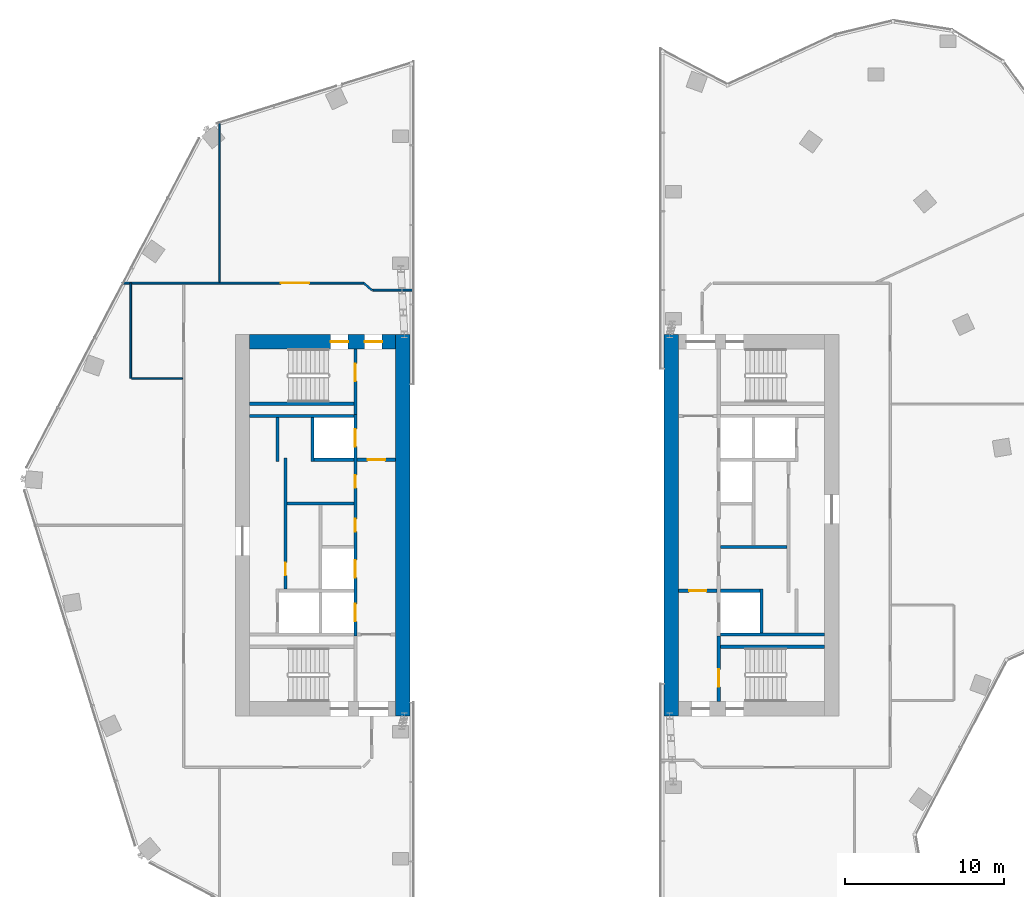
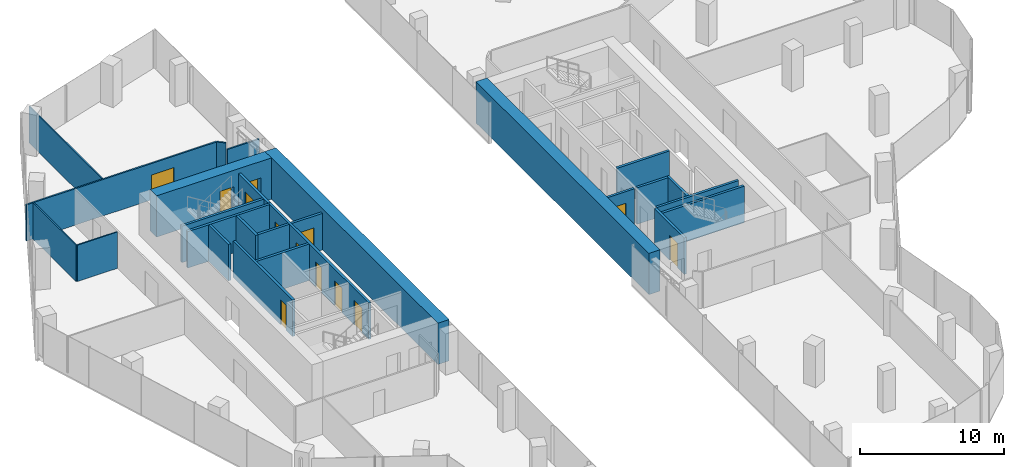
# One storey, part 19 of 23: 26 walls, 13 doors, 13 openings.
"""IFC4 building model written with IfcOpenShell, lengths in metres."""

from ifc_helpers import new_model, si_unit, direction, frame, frame_2d, origin, place, context, subcontext, project, spatial, rectangle, extrude, material, layer, layer_set, type_object, element, fill, save


model = new_model("IFC4")

# Units and contexts
model_context = context("Model", 3, precision=1e-05, world=origin(), true_north=direction((0.0, 1.0)))
body_context = subcontext(model_context, "Body", "Model", "MODEL_VIEW")
ifc_project = project(units=[si_unit("LENGTHUNIT", "METRE"), si_unit("AREAUNIT", "SQUARE_METRE"), si_unit("VOLUMEUNIT", "CUBIC_METRE"), si_unit("PLANEANGLEUNIT", "RADIAN"), si_unit("MASSUNIT", "GRAM", prefix="KILO")], contexts=[model_context])

# Site, building, storey
site_placement = place(None, origin())
site = spatial("IfcSite", under=ifc_project, at=site_placement, CompositionType="ELEMENT")
building_placement = place(site_placement, origin())
building = spatial("IfcBuilding", under=site, at=building_placement, Name="Orlundy Tower", CompositionType="ELEMENT")
storey_placement = place(building_placement, frame((0.0, 0.0, 264.0)))
storey = spatial("IfcBuildingStorey", under=building, at=storey_placement, Name="L70", CompositionType="ELEMENT", Elevation=264.0)

# Wall, openings, doors
ifc_material_1 = material(Name="Concrete C60/75", Category="concrete")
ifc_layer_1 = layer(ifc_material_1, 0.89990234375)
ifc_layer_set_1 = layer_set([ifc_layer_1], Name="CORE WALL 900 C60/75")
wall_type_1 = type_object("IfcWallType", Name="CORE WALL 900 C60/75", PredefinedType="SHEAR", material=ifc_layer_set_1)
wall_1_placement = place(storey_placement, frame((-18.10009765625, 11.550048828125, 0.0), z_axis=(0.0, 0.0, 1.0), x_axis=(1.0, 0.0, 0.0)))
wall_1 = element("IfcWall", 1, at=wall_1_placement, inside=storey, type_object=wall_type_1, Name="Core wall W-N L70", PredefinedType="SHEAR", context=body_context, shape_type="SweptSolid", body=[
    extrude(rectangle(XDim=9.2001953125, YDim=0.89990234375, at=frame_2d((4.60009765625, 0.0))), origin(), (0.0, 0.0, 1.0), 3.5),
])
opening_1_placement = place(wall_1_placement, frame((7.25, 0.0, 0.0)))
opening_1 = element("IfcOpeningElement", 2, at=opening_1_placement, cuts=wall_1, Name="Opening 52009", PredefinedType="OPENING", context=body_context, shape_type="SweptSolid", body=[
    extrude(rectangle(XDim=1.10009765625, YDim=2.10009765625, at=frame_2d((0.550048828125, 1.050048828125))), frame((0.0, 0.4599609375, 0.0), z_axis=(0.0, -1.0, 0.0), x_axis=(1.0, 0.0, 0.0)), (0.0, 0.0, 1.0), 0.919921875),
])
opening_2_placement = place(wall_1_placement, frame((5.10009765625, 0.0, 0.0)))
opening_2 = element("IfcOpeningElement", 3, at=opening_2_placement, cuts=wall_1, Name="Opening 52013", PredefinedType="OPENING", context=body_context, shape_type="SweptSolid", body=[
    extrude(rectangle(XDim=1.10009765625, YDim=2.10009765625, at=frame_2d((0.550048828125, 1.050048828125))), frame((0.0, 0.4599609375, 0.0), z_axis=(0.0, -1.0, 0.0), x_axis=(1.0, 0.0, 0.0)), (0.0, 0.0, 1.0), 0.919921875),
])
ifc_material_2 = material(Name="Steel door set", Category="steel")
door_type_1 = type_object("IfcDoorType", Name="Fire-fighting Lobby Door 1100x2100", OperationType="SINGLE_SWING_LEFT", PredefinedType="DOOR", material=ifc_material_2)
door_1_placement = place(opening_1_placement, origin())
door_1 = element("IfcDoor", 4, at=door_1_placement, inside=storey, type_object=door_type_1, Name="Fire-fighting lobby door 52009", OperationType="SINGLE_SWING_RIGHT", OverallHeight=2.10009765625, OverallWidth=1.10009765625, PredefinedType="DOOR", context=body_context, shape_type="SweptSolid", body=[
    extrude(rectangle(XDim=1.10009765625, YDim=2.10009765625, at=frame_2d((0.550048828125, 1.050048828125))), frame((0.0, 0.02490234375, 0.0), z_axis=(0.0, -1.0, 0.0), x_axis=(1.0, 0.0, 0.0)), (0.0, 0.0, 1.0), 0.050048828125),
])
fill(opening_1, door_1)
ifc_material_3 = material(Name="Steel door set", Category="steel")
door_type_2 = type_object("IfcDoorType", Name="Stair Door 1100x2100", OperationType="SINGLE_SWING_LEFT", PredefinedType="DOOR", material=ifc_material_3)
door_2_placement = place(opening_2_placement, origin())
door_2 = element("IfcDoor", 5, at=door_2_placement, inside=storey, type_object=door_type_2, Name="Stair door 52013", OperationType="SINGLE_SWING_RIGHT", OverallHeight=2.10009765625, OverallWidth=1.10009765625, PredefinedType="DOOR", context=body_context, shape_type="SweptSolid", body=[
    extrude(rectangle(XDim=1.10009765625, YDim=2.10009765625, at=frame_2d((0.550048828125, 1.050048828125))), frame((0.0, 0.02490234375, 0.0), z_axis=(0.0, -1.0, 0.0), x_axis=(1.0, 0.0, 0.0)), (0.0, 0.0, 1.0), 0.050048828125),
])
fill(opening_2, door_2)

# Walls
for number, where, z_axis, x_axis, name in (
    (6, (-8.449951171875, -12.0, 0.0), (0.0, 0.0, 1.0), (0.0, 1.0, 0.0), "Core wall W-E L70"),
    (7, (8.449951171875, -12.0, 0.0), (0.0, 0.0, 1.0), (0.0, 1.0, 0.0), "Core wall E-W L70"),
):
    element("IfcWall", number, at=place(storey_placement, frame(where, z_axis=z_axis, x_axis=x_axis)), inside=storey, type_object=wall_type_1, Name=name, PredefinedType="SHEAR", context=body_context, shape_type="SweptSolid", body=[
        extrude(rectangle(XDim=24.0, YDim=0.89990234375, at=frame_2d((12.0, 0.0))), origin(), (0.0, 0.0, 1.0), 3.5),
    ])
ifc_material_4 = material(Name="Gypsum board partition")
ifc_layer_2 = layer(ifc_material_4, 0.10009765625)
ifc_layer_set_2 = layer_set([ifc_layer_2], Name="Floor partition 100")
wall_type_2 = type_object("IfcWallType", Name="Floor partition 100", PredefinedType="PARTITIONING", material=ifc_layer_set_2)
wall_2_placement = place(storey_placement, frame((-25.531982421875, 9.2490234375, 0.0), z_axis=(0.0, 0.0, 1.0), x_axis=(1.0, 0.0, 0.0)))
element("IfcWall", 8, at=wall_2_placement, inside=storey, type_object=wall_type_2, Name="wall-int-L70-008", PredefinedType="PARTITIONING", context=body_context, shape_type="SweptSolid", body=[
    extrude(rectangle(XDim=3.219970703125, YDim=0.10009765625, at=frame_2d((1.60986328125, 0.0))), origin(), (0.0, 0.0, 1.0), 3.080078125),
])
wall_3_placement = place(storey_placement, frame((-20.0, 15.31298828125, 0.0), z_axis=(0.0, 0.0, 1.0), x_axis=(0.0, 1.0, 0.0)))
element("IfcWall", 9, at=wall_3_placement, inside=storey, type_object=wall_type_2, Name="wall-int-L70-023", PredefinedType="PARTITIONING", context=body_context, shape_type="SweptSolid", body=[
    extrude(rectangle(XDim=10.134033203125, YDim=0.10009765625, at=frame_2d((5.06689453125, 0.0))), origin(), (0.0, 0.0, 1.0), 3.080078125),
])
wall_4_placement = place(storey_placement, frame((-25.58203125, 9.2490234375, 0.0), z_axis=(0.0, 0.0, 1.0), x_axis=(0.0, 1.0, 0.0)))
element("IfcWall", 10, at=wall_4_placement, inside=storey, type_object=wall_type_2, Name="wall-int-L70-025", PredefinedType="PARTITIONING", context=body_context, shape_type="SweptSolid", body=[
    extrude(rectangle(XDim=6.0, YDim=0.10009765625, at=frame_2d((3.0, 0.0))), origin(), (0.0, 0.0, 1.0), 3.080078125),
])

# Wall, opening, door
ifc_material_5 = material(Name="Gypsum board partition, double layer")
ifc_layer_3 = layer(ifc_material_5, 0.125)
ifc_layer_set_3 = layer_set([ifc_layer_3], Name="Floor partition 125")
wall_type_3 = type_object("IfcWallType", Name="Floor partition 125", PredefinedType="PARTITIONING", material=ifc_layer_set_3)
wall_5_placement = place(storey_placement, frame((-26.159912109375, 15.25, 0.0), z_axis=(0.0, 0.0, 1.0), x_axis=(1.0, 0.0, 0.0)))
wall_5 = element("IfcWall", 11, at=wall_5_placement, inside=storey, type_object=wall_type_3, Name="wall-int-L70-010", PredefinedType="PARTITIONING", context=body_context, shape_type="SweptSolid", body=[
    extrude(rectangle(XDim=15.247802734375, YDim=0.125, at=frame_2d((7.6240234375, 0.0))), origin(), (0.0, 0.0, 1.0), 3.080078125),
])
opening_3_placement = place(wall_5_placement, frame((10.010009765625, 0.0, 0.0)))
opening_3 = element("IfcOpeningElement", 12, at=opening_3_placement, cuts=wall_5, Name="Opening 52108", PredefinedType="OPENING", context=body_context, shape_type="SweptSolid", body=[
    extrude(rectangle(XDim=1.800048828125, YDim=2.10009765625, at=frame_2d((0.89990234375, 1.050048828125))), frame((0.0, 0.072509765625, 0.0), z_axis=(0.0, -1.0, 0.0), x_axis=(1.0, 0.0, 0.0)), (0.0, 0.0, 1.0), 0.14501953125),
])
ifc_material_6 = material(Name="Timber door leaf", Category="wood")
door_type_3 = type_object("IfcDoorType", Name="Floor door double 1800 FD30S", OperationType="NOTDEFINED", PredefinedType="DOOR", material=ifc_material_6)
door_3_placement = place(opening_3_placement, origin())
door_3 = element("IfcDoor", 13, at=door_3_placement, inside=storey, type_object=door_type_3, Name="Door 52108", OperationType="DOUBLE_DOOR_SINGLE_SWING", OverallHeight=2.10009765625, OverallWidth=1.800048828125, PredefinedType="DOOR", context=body_context, shape_type="SweptSolid", body=[
    extrude(rectangle(XDim=1.800048828125, YDim=2.10009765625, at=frame_2d((0.89990234375, 1.050048828125))), frame((0.0, 0.02490234375, 0.0), z_axis=(0.0, -1.0, 0.0), x_axis=(1.0, 0.0, 0.0)), (0.0, 0.0, 1.0), 0.050048828125),
])
fill(opening_3, door_3)

# Walls
wall_6_placement = place(storey_placement, frame((-10.39892578125, 14.801025390625, 0.0), z_axis=(0.0, 0.0, 1.0), x_axis=(-0.752621053173, 0.658453909032, 0.0)))
element("IfcWall", 14, at=wall_6_placement, inside=storey, type_object=wall_type_3, Name="wall-int-L70-021", PredefinedType="PARTITIONING", context=body_context, shape_type="SweptSolid", body=[
    extrude(rectangle(XDim=0.681884765625, YDim=0.125, at=frame_2d((0.3408203125, 0.0))), origin(), (0.0, 0.0, 1.0), 3.080078125),
])
ifc_material_7 = material(Name="Gypsum board partition, double layer")
ifc_layer_4 = layer(ifc_material_7, 0.125)
ifc_layer_set_4 = layer_set([ifc_layer_4], Name="Floor partition 125 B")
wall_type_4 = type_object("IfcWallType", Name="Floor partition 125 B", PredefinedType="PARTITIONING", material=ifc_layer_set_4)
wall_7_placement = place(storey_placement, frame((-10.3359375, 14.801025390625, 0.0), z_axis=(0.0, 0.0, 1.0), x_axis=(1.0, 0.0, 0.0)))
element("IfcWall", 15, at=wall_7_placement, inside=storey, type_object=wall_type_4, Name="wall-int-L70-009", PredefinedType="PARTITIONING", context=body_context, shape_type="SweptSolid", body=[
    extrude(rectangle(XDim=2.5859375, YDim=0.125, at=frame_2d((1.29296875, 0.0))), origin(), (0.0, 0.0, 1.0), 2.496337890625),
])

# Wall, opening, door
ifc_material_8 = material(Name="Concrete C40/50", Category="concrete")
ifc_layer_5 = layer(ifc_material_8, 0.199951171875)
ifc_layer_set_5 = layer_set([ifc_layer_5], Name="Load-bearing Shaft Wall 200")
wall_type_5 = type_object("IfcWallType", Name="Load-bearing Shaft Wall 200", PredefinedType="SOLIDWALL", material=ifc_layer_set_5)
wall_8_placement = place(storey_placement, frame((-11.43994140625, 6.97509765625, 0.0), z_axis=(0.0, 0.0, 1.0), x_axis=(0.0, 1.0, 0.0)))
wall_8 = element("IfcWall", 16, at=wall_8_placement, inside=storey, type_object=wall_type_5, Name="Shaft wall W52-stair-end-n", PredefinedType="SOLIDWALL", context=body_context, shape_type="SweptSolid", body=[
    extrude(rectangle(XDim=4.125, YDim=0.199951171875, at=frame_2d((2.0625, 0.0))), origin(), (0.0, 0.0, 1.0), 3.090087890625),
])
opening_4_placement = place(wall_8_placement, frame((2.10009765625, 0.0, 0.0)))
opening_4 = element("IfcOpeningElement", 17, at=opening_4_placement, cuts=wall_8, Name="Opening 52015", PredefinedType="OPENING", context=body_context, shape_type="SweptSolid", body=[
    extrude(rectangle(XDim=1.10009765625, YDim=2.10009765625, at=frame_2d((0.550048828125, 1.050048828125))), frame((0.0, 0.110107421875, 0.0), z_axis=(0.0, -1.0, 0.0), x_axis=(1.0, 0.0, 0.0)), (0.0, 0.0, 1.0), 0.22021484375),
])
door_4_placement = place(opening_4_placement, origin())
door_4 = element("IfcDoor", 18, at=door_4_placement, inside=storey, type_object=door_type_1, Name="Fire-fighting lobby to stair door 52015", OperationType="SINGLE_SWING_RIGHT", OverallHeight=2.10009765625, OverallWidth=1.10009765625, PredefinedType="DOOR", context=body_context, shape_type="SweptSolid", body=[
    extrude(rectangle(XDim=1.10009765625, YDim=2.10009765625, at=frame_2d((0.550048828125, 1.050048828125))), frame((0.0, 0.02490234375, 0.0), z_axis=(0.0, -1.0, 0.0), x_axis=(1.0, 0.0, 0.0)), (0.0, 0.0, 1.0), 0.050048828125),
])
fill(opening_4, door_4)

# Wall
wall_9_placement = place(storey_placement, frame((-11.5400390625, 7.64990234375, 0.0), z_axis=(0.0, 0.0, 1.0), x_axis=(-1.0, 0.0, 0.0)))
element("IfcWall", 19, at=wall_9_placement, inside=storey, type_object=wall_type_5, Name="Shaft wall W52-stair-side-n", PredefinedType="SOLIDWALL", context=body_context, shape_type="SweptSolid", body=[
    extrude(rectangle(XDim=6.56005859375, YDim=0.199951171875, at=frame_2d((3.280029296875, 0.0))), origin(), (0.0, 0.0, 1.0), 3.090087890625),
])

# Wall, opening, door
wall_10_placement = place(storey_placement, frame((11.43994140625, -6.97509765625, 0.0), z_axis=(0.0, 0.0, 1.0), x_axis=(0.0, -1.0, 0.0)))
wall_10 = element("IfcWall", 20, at=wall_10_placement, inside=storey, type_object=wall_type_5, Name="Shaft wall E52-stair-end-n", PredefinedType="SOLIDWALL", context=body_context, shape_type="SweptSolid", body=[
    extrude(rectangle(XDim=4.125, YDim=0.199951171875, at=frame_2d((2.0625, 0.0))), origin(), (0.0, 0.0, 1.0), 3.090087890625),
])
opening_5_placement = place(wall_10_placement, frame((2.10009765625, 0.0, 0.0)))
opening_5 = element("IfcOpeningElement", 21, at=opening_5_placement, cuts=wall_10, Name="Opening 52064", PredefinedType="OPENING", context=body_context, shape_type="SweptSolid", body=[
    extrude(rectangle(XDim=1.10009765625, YDim=2.10009765625, at=frame_2d((0.550048828125, 1.050048828125))), frame((0.0, 0.110107421875, 0.0), z_axis=(0.0, -1.0, 0.0), x_axis=(1.0, 0.0, 0.0)), (0.0, 0.0, 1.0), 0.22021484375),
])
door_5_placement = place(opening_5_placement, origin())
door_5 = element("IfcDoor", 22, at=door_5_placement, inside=storey, type_object=door_type_1, Name="Fire-fighting lobby to stair door 52064", OperationType="SINGLE_SWING_RIGHT", OverallHeight=2.10009765625, OverallWidth=1.10009765625, PredefinedType="DOOR", context=body_context, shape_type="SweptSolid", body=[
    extrude(rectangle(XDim=1.10009765625, YDim=2.10009765625, at=frame_2d((0.550048828125, 1.050048828125))), frame((0.0, 0.02490234375, 0.0), z_axis=(0.0, -1.0, 0.0), x_axis=(1.0, 0.0, 0.0)), (0.0, 0.0, 1.0), 0.050048828125),
])
fill(opening_5, door_5)

# Wall
wall_11_placement = place(storey_placement, frame((11.5400390625, -7.64990234375, 0.0), z_axis=(0.0, 0.0, 1.0), x_axis=(1.0, 0.0, 0.0)))
element("IfcWall", 23, at=wall_11_placement, inside=storey, type_object=wall_type_5, Name="Shaft wall E52-stair-side-n", PredefinedType="SOLIDWALL", context=body_context, shape_type="SweptSolid", body=[
    extrude(rectangle(XDim=6.56005859375, YDim=0.199951171875, at=frame_2d((3.280029296875, 0.0))), origin(), (0.0, 0.0, 1.0), 3.090087890625),
])

# Wall, opening, door
ifc_material_9 = material(Name="Gypsum board partition on steel studs", Category="steel")
ifc_layer_6 = layer(ifc_material_9, 0.199951171875)
ifc_layer_set_6 = layer_set([ifc_layer_6], Name="Partition 200")
wall_type_6 = type_object("IfcWallType", Name="Partition 200", PredefinedType="PARTITIONING", material=ifc_layer_set_6)
wall_12_placement = place(storey_placement, frame((-8.89990234375, 4.125, 0.0), z_axis=(0.0, 0.0, 1.0), x_axis=(-1.0, 0.0, 0.0)))
wall_12 = element("IfcWall", 24, at=wall_12_placement, inside=storey, type_object=wall_type_6, Name="Partition wall W52-lobby-n", PredefinedType="PARTITIONING", context=body_context, shape_type="SweptSolid", body=[
    extrude(rectangle(XDim=2.440185546875, YDim=0.199951171875, at=frame_2d((1.22021484375, 0.0))), origin(), (0.0, 0.0, 1.0), 3.090087890625),
])
opening_6_placement = place(wall_12_placement, frame((0.669921875, 0.0, 0.0)))
opening_6 = element("IfcOpeningElement", 25, at=opening_6_placement, cuts=wall_12, Name="Opening 52010", PredefinedType="OPENING", context=body_context, shape_type="SweptSolid", body=[
    extrude(rectangle(XDim=1.10009765625, YDim=2.10009765625, at=frame_2d((0.550048828125, 1.050048828125))), frame((0.0, 0.110107421875, 0.0), z_axis=(0.0, -1.0, 0.0), x_axis=(1.0, 0.0, 0.0)), (0.0, 0.0, 1.0), 0.22021484375),
])
door_6_placement = place(opening_6_placement, origin())
door_6 = element("IfcDoor", 26, at=door_6_placement, inside=storey, type_object=door_type_1, Name="Lift lobby to fire-fighting lobby door 52010", OperationType="SINGLE_SWING_RIGHT", OverallHeight=2.10009765625, OverallWidth=1.10009765625, PredefinedType="DOOR", context=body_context, shape_type="SweptSolid", body=[
    extrude(rectangle(XDim=1.10009765625, YDim=2.10009765625, at=frame_2d((0.550048828125, 1.050048828125))), frame((0.0, 0.02490234375, 0.0), z_axis=(0.0, -1.0, 0.0), x_axis=(1.0, 0.0, 0.0)), (0.0, 0.0, 1.0), 0.050048828125),
])
fill(opening_6, door_6)

wall_13_placement = place(storey_placement, frame((8.89990234375, -4.125, 0.0), z_axis=(0.0, 0.0, 1.0), x_axis=(1.0, 0.0, 0.0)))
wall_13 = element("IfcWall", 27, at=wall_13_placement, inside=storey, type_object=wall_type_6, Name="Partition wall E52-lobby-n", PredefinedType="PARTITIONING", context=body_context, shape_type="SweptSolid", body=[
    extrude(rectangle(XDim=2.440185546875, YDim=0.199951171875, at=frame_2d((1.22021484375, 0.0))), origin(), (0.0, 0.0, 1.0), 3.090087890625),
])
opening_7_placement = place(wall_13_placement, frame((0.669921875, 0.0, 0.0)))
opening_7 = element("IfcOpeningElement", 28, at=opening_7_placement, cuts=wall_13, Name="Opening 52059", PredefinedType="OPENING", context=body_context, shape_type="SweptSolid", body=[
    extrude(rectangle(XDim=1.10009765625, YDim=2.10009765625, at=frame_2d((0.550048828125, 1.050048828125))), frame((0.0, 0.110107421875, 0.0), z_axis=(0.0, -1.0, 0.0), x_axis=(1.0, 0.0, 0.0)), (0.0, 0.0, 1.0), 0.22021484375),
])
door_7_placement = place(opening_7_placement, origin())
door_7 = element("IfcDoor", 29, at=door_7_placement, inside=storey, type_object=door_type_1, Name="Lift lobby to fire-fighting lobby door 52059", OperationType="SINGLE_SWING_RIGHT", OverallHeight=2.10009765625, OverallWidth=1.10009765625, PredefinedType="DOOR", context=body_context, shape_type="SweptSolid", body=[
    extrude(rectangle(XDim=1.10009765625, YDim=2.10009765625, at=frame_2d((0.550048828125, 1.050048828125))), frame((0.0, 0.02490234375, 0.0), z_axis=(0.0, -1.0, 0.0), x_axis=(1.0, 0.0, 0.0)), (0.0, 0.0, 1.0), 0.050048828125),
])
fill(opening_7, door_7)

# Walls
ifc_material_10 = material(Name="Fire-rated blockwork shaft wall", Category="masonry")
ifc_layer_7 = layer(ifc_material_10, 0.199951171875)
ifc_layer_set_7 = layer_set([ifc_layer_7], Name="Shaft Wall 200")
wall_type_7 = type_object("IfcWallType", Name="Shaft Wall 200", PredefinedType="SOLIDWALL", material=ifc_layer_set_7)
wall_14_placement = place(storey_placement, frame((-11.5400390625, 6.875, 0.0), z_axis=(0.0, 0.0, 1.0), x_axis=(-1.0, 0.0, 0.0)))
element("IfcWall", 30, at=wall_14_placement, inside=storey, type_object=wall_type_7, Name="Shaft wall W52-zone-n", PredefinedType="SOLIDWALL", context=body_context, shape_type="SweptSolid", body=[
    extrude(rectangle(XDim=6.56005859375, YDim=0.199951171875, at=frame_2d((3.280029296875, 0.0))), origin(), (0.0, 0.0, 1.0), 3.090087890625),
])
wall_15_placement = place(storey_placement, frame((-11.5400390625, 1.375, 0.0), z_axis=(0.0, 0.0, 1.0), x_axis=(-1.0, 0.0, 0.0)))
element("IfcWall", 31, at=wall_15_placement, inside=storey, type_object=wall_type_7, Name="Shaft wall W52-cross+1.375", PredefinedType="SOLIDWALL", context=body_context, shape_type="SweptSolid", body=[
    extrude(rectangle(XDim=4.199951171875, YDim=0.199951171875, at=frame_2d((2.10009765625, 0.0))), origin(), (0.0, 0.0, 1.0), 3.090087890625),
])
wall_16_placement = place(storey_placement, frame((-11.5400390625, 4.125, 0.0), z_axis=(0.0, 0.0, 1.0), x_axis=(-1.0, 0.0, 0.0)))
element("IfcWall", 32, at=wall_16_placement, inside=storey, type_object=wall_type_7, Name="Shaft wall W52-cross+4.125", PredefinedType="SOLIDWALL", context=body_context, shape_type="SweptSolid", body=[
    extrude(rectangle(XDim=2.5, YDim=0.199951171875, at=frame_2d((1.25, 0.0))), origin(), (0.0, 0.0, 1.0), 3.090087890625),
])

# Wall, openings, doors
wall_17_placement = place(storey_placement, frame((-11.43994140625, -6.97509765625, 0.0), z_axis=(0.0, 0.0, 1.0), x_axis=(0.0, 1.0, 0.0)))
wall_17 = element("IfcWall", 33, at=wall_17_placement, inside=storey, type_object=wall_type_7, Name="Shaft wall W52-front-h", PredefinedType="SOLIDWALL", context=body_context, shape_type="SweptSolid", body=[
    extrude(rectangle(XDim=13.9501953125, YDim=0.199951171875, at=frame_2d((6.97509765625, 0.0))), origin(), (0.0, 0.0, 1.0), 3.090087890625),
])
opening_8_placement = place(wall_17_placement, frame((0.925048828125, 0.0, 0.0)))
opening_8 = element("IfcOpeningElement", 34, at=opening_8_placement, cuts=wall_17, Name="Opening 52001", PredefinedType="OPENING", context=body_context, shape_type="SweptSolid", body=[
    extrude(rectangle(XDim=1.10009765625, YDim=2.10009765625, at=frame_2d((0.550048828125, 1.050048828125))), frame((0.0, 0.110107421875, 0.0), z_axis=(0.0, -1.0, 0.0), x_axis=(1.0, 0.0, 0.0)), (0.0, 0.0, 1.0), 0.22021484375),
])
opening_9_placement = place(wall_17_placement, frame((3.675048828125, 0.0, 0.0)))
opening_9 = element("IfcOpeningElement", 35, at=opening_9_placement, cuts=wall_17, Name="Opening 52003", PredefinedType="OPENING", context=body_context, shape_type="SweptSolid", body=[
    extrude(rectangle(XDim=1.10009765625, YDim=2.10009765625, at=frame_2d((0.550048828125, 1.050048828125))), frame((0.0, 0.110107421875, 0.0), z_axis=(0.0, -1.0, 0.0), x_axis=(1.0, 0.0, 0.0)), (0.0, 0.0, 1.0), 0.22021484375),
])
opening_10_placement = place(wall_17_placement, frame((11.925048828125, 0.0, 0.0)))
opening_10 = element("IfcOpeningElement", 36, at=opening_10_placement, cuts=wall_17, Name="Opening 52004", PredefinedType="OPENING", context=body_context, shape_type="SweptSolid", body=[
    extrude(rectangle(XDim=1.10009765625, YDim=2.10009765625, at=frame_2d((0.550048828125, 1.050048828125))), frame((0.0, 0.110107421875, 0.0), z_axis=(0.0, -1.0, 0.0), x_axis=(1.0, 0.0, 0.0)), (0.0, 0.0, 1.0), 0.22021484375),
])
opening_11_placement = place(wall_17_placement, frame((6.574951171875, 0.0, 0.0)))
opening_11 = element("IfcOpeningElement", 37, at=opening_11_placement, cuts=wall_17, Name="Opening 52006", PredefinedType="OPENING", context=body_context, shape_type="SweptSolid", body=[
    extrude(rectangle(XDim=0.800048828125, YDim=2.10009765625, at=frame_2d((0.39990234375, 1.050048828125))), frame((0.0, 0.110107421875, 0.0), z_axis=(0.0, -1.0, 0.0), x_axis=(1.0, 0.0, 0.0)), (0.0, 0.0, 1.0), 0.22021484375),
])
opening_12_placement = place(wall_17_placement, frame((9.324951171875, 0.0, 0.0)))
opening_12 = element("IfcOpeningElement", 38, at=opening_12_placement, cuts=wall_17, Name="Opening 52007", PredefinedType="OPENING", context=body_context, shape_type="SweptSolid", body=[
    extrude(rectangle(XDim=0.800048828125, YDim=2.10009765625, at=frame_2d((0.39990234375, 1.050048828125))), frame((0.0, 0.110107421875, 0.0), z_axis=(0.0, -1.0, 0.0), x_axis=(1.0, 0.0, 0.0)), (0.0, 0.0, 1.0), 0.22021484375),
])
ifc_material_11 = material(Name="Steel door set", Category="steel")
door_type_4 = type_object("IfcDoorType", Name="Landing Door 1100x2100", OperationType="DOUBLE_DOOR_SLIDING", PredefinedType="DOOR", material=ifc_material_11)
door_8_placement = place(opening_8_placement, origin())
door_8 = element("IfcDoor", 39, at=door_8_placement, inside=storey, type_object=door_type_4, Name="Lift landing door LP-22 52001", OperationType="DOUBLE_DOOR_SLIDING", OverallHeight=2.10009765625, OverallWidth=1.10009765625, PredefinedType="DOOR", context=body_context, shape_type="SweptSolid", body=[
    extrude(rectangle(XDim=1.10009765625, YDim=2.10009765625, at=frame_2d((0.550048828125, 1.050048828125))), frame((0.0, 0.02490234375, 0.0), z_axis=(0.0, -1.0, 0.0), x_axis=(1.0, 0.0, 0.0)), (0.0, 0.0, 1.0), 0.050048828125),
])
fill(opening_8, door_8)
door_9_placement = place(opening_9_placement, origin())
door_9 = element("IfcDoor", 40, at=door_9_placement, inside=storey, type_object=door_type_4, Name="Lift landing door LP-21 52003", OperationType="DOUBLE_DOOR_SLIDING", OverallHeight=2.10009765625, OverallWidth=1.10009765625, PredefinedType="DOOR", context=body_context, shape_type="SweptSolid", body=[
    extrude(rectangle(XDim=1.10009765625, YDim=2.10009765625, at=frame_2d((0.550048828125, 1.050048828125))), frame((0.0, 0.02490234375, 0.0), z_axis=(0.0, -1.0, 0.0), x_axis=(1.0, 0.0, 0.0)), (0.0, 0.0, 1.0), 0.050048828125),
])
fill(opening_9, door_9)
door_10_placement = place(opening_10_placement, origin())
door_10 = element("IfcDoor", 41, at=door_10_placement, inside=storey, type_object=door_type_4, Name="Lift landing door FL1 52004", OperationType="DOUBLE_DOOR_SLIDING", OverallHeight=2.10009765625, OverallWidth=1.10009765625, PredefinedType="DOOR", context=body_context, shape_type="SweptSolid", body=[
    extrude(rectangle(XDim=1.10009765625, YDim=2.10009765625, at=frame_2d((0.550048828125, 1.050048828125))), frame((0.0, 0.02490234375, 0.0), z_axis=(0.0, -1.0, 0.0), x_axis=(1.0, 0.0, 0.0)), (0.0, 0.0, 1.0), 0.050048828125),
])
fill(opening_10, door_10)
ifc_material_12 = material(Name="Timber door set", Category="wood")
door_type_5 = type_object("IfcDoorType", Name="Riser Door 800x2100", OperationType="SINGLE_SWING_LEFT", PredefinedType="DOOR", material=ifc_material_12)
door_11_placement = place(opening_11_placement, origin())
door_11 = element("IfcDoor", 42, at=door_11_placement, inside=storey, type_object=door_type_5, Name="Coat Store door 52006", OperationType="SINGLE_SWING_LEFT", OverallHeight=2.10009765625, OverallWidth=0.800048828125, PredefinedType="DOOR", context=body_context, shape_type="SweptSolid", body=[
    extrude(rectangle(XDim=0.800048828125, YDim=2.10009765625, at=frame_2d((0.39990234375, 1.050048828125))), frame((0.0, 0.02490234375, 0.0), z_axis=(0.0, -1.0, 0.0), x_axis=(1.0, 0.0, 0.0)), (0.0, 0.0, 1.0), 0.050048828125),
])
fill(opening_11, door_11)
door_12_placement = place(opening_12_placement, origin())
door_12 = element("IfcDoor", 43, at=door_12_placement, inside=storey, type_object=door_type_5, Name="Parcel Store door 52007", OperationType="SINGLE_SWING_LEFT", OverallHeight=2.10009765625, OverallWidth=0.800048828125, PredefinedType="DOOR", context=body_context, shape_type="SweptSolid", body=[
    extrude(rectangle(XDim=0.800048828125, YDim=2.10009765625, at=frame_2d((0.39990234375, 1.050048828125))), frame((0.0, 0.02490234375, 0.0), z_axis=(0.0, -1.0, 0.0), x_axis=(1.0, 0.0, 0.0)), (0.0, 0.0, 1.0), 0.050048828125),
])
fill(opening_12, door_12)

# Wall
wall_18_placement = place(storey_placement, frame((-14.139892578125, 4.02490234375, 0.0), z_axis=(0.0, 0.0, 1.0), x_axis=(0.0, 1.0, 0.0)))
element("IfcWall", 44, at=wall_18_placement, inside=storey, type_object=wall_type_7, Name="Shaft wall W52-mid-b", PredefinedType="SOLIDWALL", context=body_context, shape_type="SweptSolid", body=[
    extrude(rectangle(XDim=2.75, YDim=0.199951171875, at=frame_2d((1.375, 0.0))), origin(), (0.0, 0.0, 1.0), 3.090087890625),
])

# Wall, opening, door
wall_19_placement = place(storey_placement, frame((-15.840087890625, -4.02490234375, 0.0), z_axis=(0.0, 0.0, 1.0), x_axis=(0.0, 1.0, 0.0)))
wall_19 = element("IfcWall", 45, at=wall_19_placement, inside=storey, type_object=wall_type_7, Name="Shaft wall W52-front-o-b", PredefinedType="SOLIDWALL", context=body_context, shape_type="SweptSolid", body=[
    extrude(rectangle(XDim=8.25, YDim=0.199951171875, at=frame_2d((4.125, 0.0))), origin(), (0.0, 0.0, 1.0), 3.090087890625),
])
opening_13_placement = place(wall_19_placement, frame((0.875, 0.0, 0.0)))
opening_13 = element("IfcOpeningElement", 46, at=opening_13_placement, cuts=wall_19, Name="Opening 52005", PredefinedType="OPENING", context=body_context, shape_type="SweptSolid", body=[
    extrude(rectangle(XDim=0.800048828125, YDim=2.10009765625, at=frame_2d((0.39990234375, 1.050048828125))), frame((0.0, 0.110107421875, 0.0), z_axis=(0.0, -1.0, 0.0), x_axis=(1.0, 0.0, 0.0)), (0.0, 0.0, 1.0), 0.22021484375),
])
door_13_placement = place(opening_13_placement, origin())
door_13 = element("IfcDoor", 47, at=door_13_placement, inside=storey, type_object=door_type_5, Name="Printer Paper Store door 52005", OperationType="SINGLE_SWING_LEFT", OverallHeight=2.10009765625, OverallWidth=0.800048828125, PredefinedType="DOOR", context=body_context, shape_type="SweptSolid", body=[
    extrude(rectangle(XDim=0.800048828125, YDim=2.10009765625, at=frame_2d((0.39990234375, 1.050048828125))), frame((0.0, 0.02490234375, 0.0), z_axis=(0.0, -1.0, 0.0), x_axis=(1.0, 0.0, 0.0)), (0.0, 0.0, 1.0), 0.050048828125),
])
fill(opening_13, door_13)

# Walls
wall_20_placement = place(storey_placement, frame((-16.340087890625, 4.02490234375, 0.0), z_axis=(0.0, 0.0, 1.0), x_axis=(0.0, 1.0, 0.0)))
element("IfcWall", 48, at=wall_20_placement, inside=storey, type_object=wall_type_7, Name="Shaft wall W52-front-o-c", PredefinedType="SOLIDWALL", context=body_context, shape_type="SweptSolid", body=[
    extrude(rectangle(XDim=2.75, YDim=0.199951171875, at=frame_2d((1.375, 0.0))), origin(), (0.0, 0.0, 1.0), 3.090087890625),
])
wall_21_placement = place(storey_placement, frame((11.5400390625, -6.875, 0.0), z_axis=(0.0, 0.0, 1.0), x_axis=(1.0, 0.0, 0.0)))
element("IfcWall", 49, at=wall_21_placement, inside=storey, type_object=wall_type_7, Name="Shaft wall E52-zone-n", PredefinedType="SOLIDWALL", context=body_context, shape_type="SweptSolid", body=[
    extrude(rectangle(XDim=6.56005859375, YDim=0.199951171875, at=frame_2d((3.280029296875, 0.0))), origin(), (0.0, 0.0, 1.0), 3.090087890625),
])
wall_22_placement = place(storey_placement, frame((11.5400390625, -1.375, 0.0), z_axis=(0.0, 0.0, 1.0), x_axis=(1.0, 0.0, 0.0)))
element("IfcWall", 50, at=wall_22_placement, inside=storey, type_object=wall_type_7, Name="Shaft wall E52-cross+1.375", PredefinedType="SOLIDWALL", context=body_context, shape_type="SweptSolid", body=[
    extrude(rectangle(XDim=4.199951171875, YDim=0.199951171875, at=frame_2d((2.10009765625, 0.0))), origin(), (0.0, 0.0, 1.0), 3.090087890625),
])
wall_23_placement = place(storey_placement, frame((11.5400390625, -4.125, 0.0), z_axis=(0.0, 0.0, 1.0), x_axis=(1.0, 0.0, 0.0)))
element("IfcWall", 51, at=wall_23_placement, inside=storey, type_object=wall_type_7, Name="Shaft wall E52-cross+4.125", PredefinedType="SOLIDWALL", context=body_context, shape_type="SweptSolid", body=[
    extrude(rectangle(XDim=2.5, YDim=0.199951171875, at=frame_2d((1.25, 0.0))), origin(), (0.0, 0.0, 1.0), 3.090087890625),
])
wall_24_placement = place(storey_placement, frame((14.139892578125, -4.02490234375, 0.0), z_axis=(0.0, 0.0, 1.0), x_axis=(0.0, -1.0, 0.0)))
element("IfcWall", 52, at=wall_24_placement, inside=storey, type_object=wall_type_7, Name="Shaft wall E52-mid-b", PredefinedType="SOLIDWALL", context=body_context, shape_type="SweptSolid", body=[
    extrude(rectangle(XDim=2.75, YDim=0.199951171875, at=frame_2d((1.375, 0.0))), origin(), (0.0, 0.0, 1.0), 3.090087890625),
])

save(model, "model.ifc")
